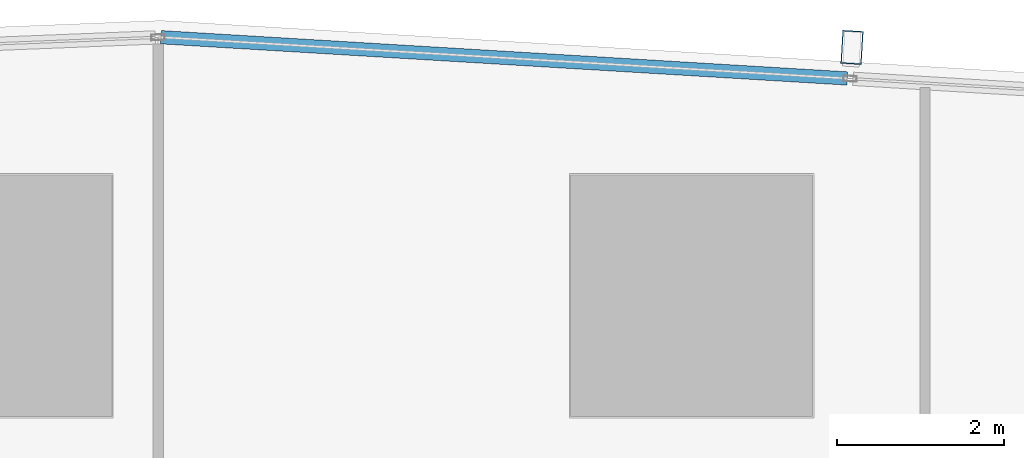
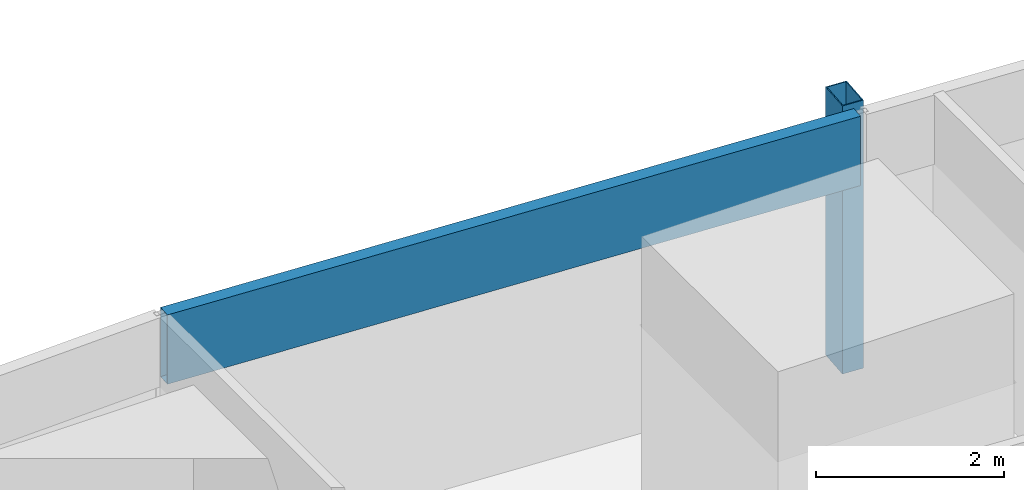
# One storey, part 22 of 40: 2 members, 1 element without a shape of its own.
"""IFC4 building model written with IfcOpenShell, lengths in metres."""

from ifc_helpers import new_model, si_unit, direction, frame, origin, origin_2d, place, context, subcontext, project, spatial, hollow_rectangle, extrude, material, material_profile, profile_set, type_object, element, aggregate, save


model = new_model("IFC4")

# Units and contexts
model_context = context("Model", 3, precision=1e-05, world=origin(), true_north=direction((0.0, 1.0)))
body_context = subcontext(model_context, "Body", "Model", "MODEL_VIEW")
ifc_project = project(units=[si_unit("LENGTHUNIT", "METRE"), si_unit("AREAUNIT", "SQUARE_METRE"), si_unit("VOLUMEUNIT", "CUBIC_METRE"), si_unit("PLANEANGLEUNIT", "RADIAN"), si_unit("MASSUNIT", "GRAM", prefix="KILO")], contexts=[model_context])

# Site, building, storey
site_placement = place(None, origin())
site = spatial("IfcSite", under=ifc_project, at=site_placement, CompositionType="ELEMENT")
building_placement = place(site_placement, origin())
building = spatial("IfcBuilding", under=site, at=building_placement, Name="Rekha Terrace Tower", CompositionType="ELEMENT")
storey_placement = place(building_placement, frame((0.0, 0.0, 95.300048828125)))
storey = spatial("IfcBuildingStorey", under=building, at=storey_placement, Name="L23", CompositionType="ELEMENT", Elevation=95.300048828125)

# Curtain wall, members
ifc_material_1 = material(Name="Aluminium framing", Category="aluminium")
curtain_wall_type = type_object("IfcCurtainWallType", Name="CW3 north unitised glazing", PredefinedType="USERDEFINED", material=ifc_material_1)
curtain_wall_placement = place(storey_placement, origin())
curtain_wall = element("IfcCurtainWall", 1, at=curtain_wall_placement, inside=storey, type_object=curtain_wall_type, Name="CW3 unitised curtain wall", ObjectType="UNITISED CURTAIN WALL", PredefinedType="USERDEFINED")
ifc_material_2 = material(Name="Steel S355 with fluorocarbon finish", Category="steel")
ifc_material_profile_1 = material_profile(ifc_material_2, hollow_rectangle(XDim=0.25, YDim=0.39990234375, WallThickness=0.012451171875, at=origin_2d()), Name="RHS400x250x12.5")
ifc_profile_set_1 = profile_set([ifc_material_profile_1], Name="Steel S355 with fluorocarbon finish")
member_type_1 = type_object("IfcMemberType", Name="BL1 facade blade RHS 400 x 250", PredefinedType="USERDEFINED", material=ifc_profile_set_1)
member_1_placement = place(storey_placement, frame((52.322265625, 61.777587890625, 0.02001953125), z_axis=(0.0, 0.0, 1.0), x_axis=(-0.998199123409, 0.059987582268, 0.0)))
member_1 = element("IfcMember", 2, at=member_1_placement, type_object=member_type_1, Name="Facade blade", ObjectType="FACADE BLADE", PredefinedType="USERDEFINED", context=body_context, shape_type="SweptSolid", body=[
    extrude(hollow_rectangle(XDim=0.25, YDim=0.39990234375, WallThickness=0.012451171875, at=origin_2d()), origin(), (0.0, 0.0, 1.0), 3.47998046875),
])
ifc_material_3 = material(Name="Insulated aluminium spandrel box", Category="aluminium")
ifc_material_profile_2 = material_profile(ifc_material_3, hollow_rectangle(XDim=0.159912109375, YDim=0.89990234375, WallThickness=0.0029296875, at=origin_2d()), Name="AL SPANDREL BOX 160x900")
ifc_profile_set_2 = profile_set([ifc_material_profile_2], Name="Insulated aluminium spandrel box")
member_type_2 = type_object("IfcMemberType", Name="CW3 spandrel transom 160 x 900", PredefinedType="USERDEFINED", material=ifc_profile_set_2)
member_2_placement = place(storey_placement, frame((52.2646484375, 61.4052734375, 3.050048828125), z_axis=(-0.998199102701, 0.059987926845, 0.0), x_axis=(-0.059987926845, -0.998199102701, 0.0)))
member_2 = element("IfcMember", 3, at=member_2_placement, type_object=member_type_2, Name="CW3 spandrel transom 3", ObjectType="TRANSOM", PredefinedType="USERDEFINED", context=body_context, shape_type="SweptSolid", body=[
    extrude(hollow_rectangle(XDim=0.159912109375, YDim=0.89990234375, WallThickness=0.0029296875, at=origin_2d()), origin(), (0.0, 0.0, 1.0), 8.241455078125),
])
aggregate(curtain_wall, [member_2, member_1])

save(model, "model.ifc")
